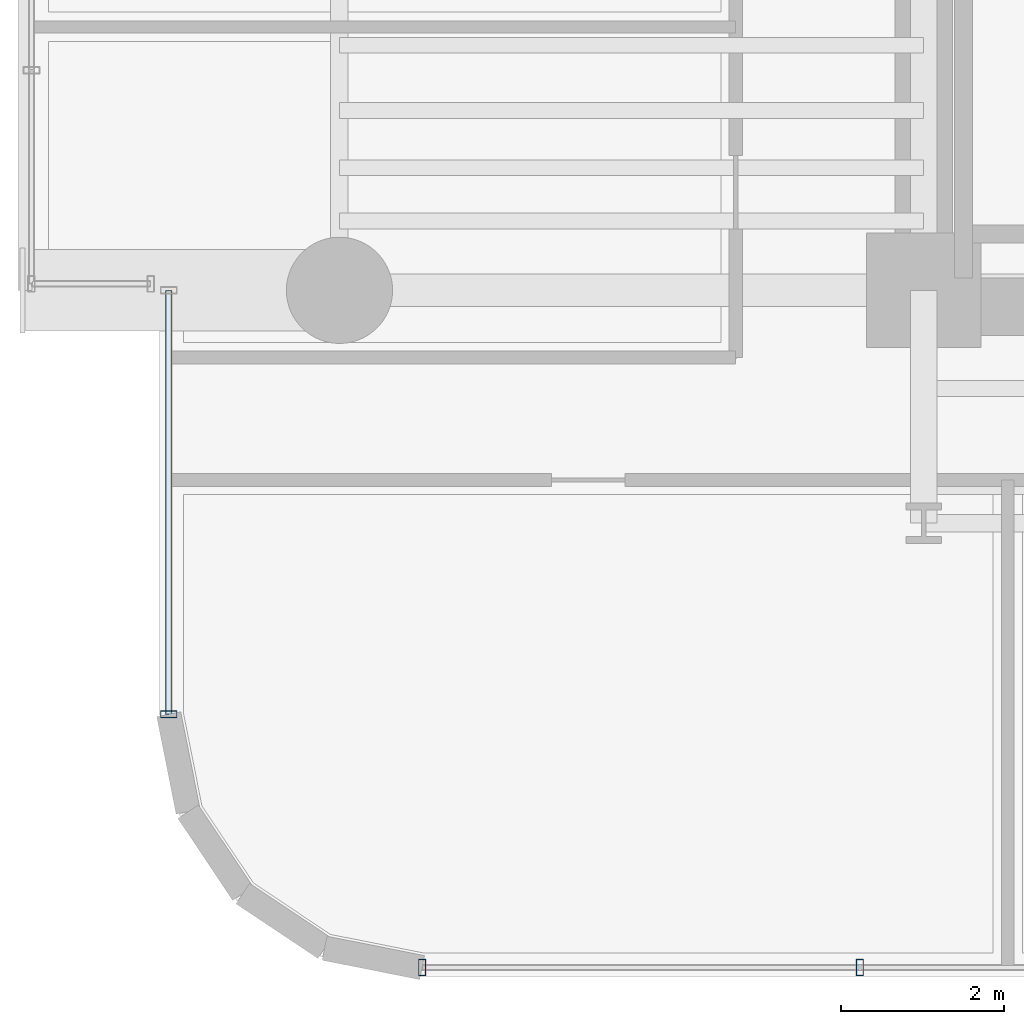
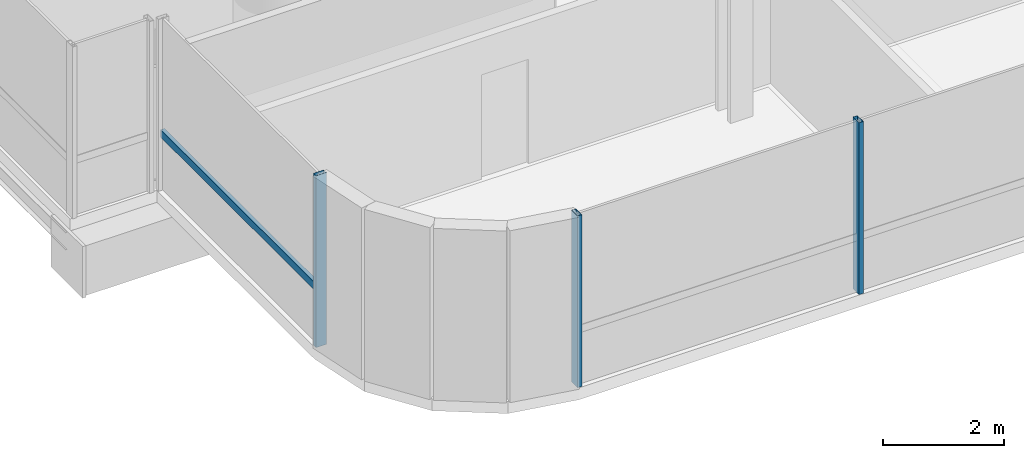
# One storey, part 2 of 39: 4 members, 2 elements without a shape of their own.
"""IFC4 building model written with IfcOpenShell, lengths in metres."""

from ifc_helpers import new_model, si_unit, direction, frame, origin, origin_2d, place, context, subcontext, project, spatial, hollow_rectangle, extrude, source, transform, mapped, material, material_profile, profile_set, type_object, element, aggregate, save


model = new_model("IFC4")

# Units and contexts
model_context = context("Model", 3, precision=1e-05, world=origin(), true_north=direction((0.0, 1.0)))
body_context = subcontext(model_context, "Body", "Model", "MODEL_VIEW")
ifc_project = project(units=[si_unit("LENGTHUNIT", "METRE"), si_unit("AREAUNIT", "SQUARE_METRE"), si_unit("VOLUMEUNIT", "CUBIC_METRE"), si_unit("PLANEANGLEUNIT", "RADIAN"), si_unit("MASSUNIT", "GRAM", prefix="KILO")], contexts=[model_context])

# Site, building, storey
site_placement = place(None, origin())
site = spatial("IfcSite", under=ifc_project, at=site_placement, CompositionType="ELEMENT")
building_placement = place(site_placement, origin())
building = spatial("IfcBuilding", under=site, at=building_placement, Name="Valdorenza Pilgrim Sanctuary Tower", CompositionType="ELEMENT")
storey_placement = place(building_placement, frame((0.0, 0.0, 33.39990234375)))
storey = spatial("IfcBuildingStorey", under=building, at=storey_placement, Name="L07", CompositionType="ELEMENT", Elevation=33.39990234375)

# Curtain wall, members
ifc_material_1 = material(Name="Curtain-wall IGU glazing", Category="glass")
curtain_wall_type = type_object("IfcCurtainWallType", Name="CW-SYS-02", PredefinedType="NOTDEFINED", material=ifc_material_1)
curtain_wall_1_placement = place(storey_placement, origin())
curtain_wall_1 = element("IfcCurtainWall", 1, at=curtain_wall_1_placement, inside=storey, type_object=curtain_wall_type, Name="L07 Curtain Wall CW-L07-1-1S1", PredefinedType="NOTDEFINED")
ifc_material_2 = material(Name="Anodised aluminium AW-6060", Category="aluminium")
ifc_material_profile_1 = material_profile(ifc_material_2, hollow_rectangle(XDim=0.074951171875, YDim=0.14990234375, WallThickness=0.00390625, at=origin_2d()), Name="ALU-T 150x75x4")
ifc_profile_set_1 = profile_set([ifc_material_profile_1], Name="Anodised aluminium AW-6060")
member_type_1 = type_object("IfcMemberType", Name="CW-TRN-02", PredefinedType="USERDEFINED", material=ifc_profile_set_1)
shared_shape_1 = source(origin(), body_context, "Body", "SweptSolid", [
    extrude(hollow_rectangle(XDim=0.074951171875, YDim=0.14990234375, WallThickness=0.00390625, at=origin_2d()), origin(), (0.0, 0.0, 1.0), 5.189208984375),
])
member_1_placement = place(storey_placement, frame((-31.889892578125, -15.789306640625, 1.1201171875), z_axis=(0.0, 1.0, 0.0), x_axis=(-1.0, 0.0, 0.0)))
member_1 = element("IfcMember", 2, at=member_1_placement, type_object=member_type_1, Name="CW-L07-1-1S1 Transom 1", ObjectType="TRANSOM", PredefinedType="USERDEFINED", context=body_context, shape_type="MappedRepresentation", body=[
    mapped(shared_shape_1, transform((0.0, 0.0, 0.0), x_axis=(1.0, 0.0, 0.0), y_axis=(0.0, 1.0, 0.0), z_axis=(0.0, 0.0, 1.0), scale=1.0)),
])
ifc_material_profile_2 = material_profile(ifc_material_2, hollow_rectangle(XDim=0.0849609375, YDim=0.199951171875, WallThickness=0.0048828125, at=origin_2d()), Name="ALU-M 200x85x5")
ifc_profile_set_2 = profile_set([ifc_material_profile_2], Name="Anodised aluminium AW-6060")
member_type_2 = type_object("IfcMemberType", Name="CW-MUL-02", PredefinedType="MULLION", material=ifc_profile_set_2)
shared_shape_2 = source(origin(), body_context, "Body", "SweptSolid", [
    extrude(hollow_rectangle(XDim=0.0849609375, YDim=0.199951171875, WallThickness=0.0048828125, at=origin_2d()), origin(), (0.0, 0.0, 1.0), 3.460205078125),
])
member_2_placement = place(storey_placement, frame((-31.889892578125, -15.789306640625, 0.0), z_axis=(0.0, 0.0, 1.0), x_axis=(0.0, 1.0, 0.0)))
member_2 = element("IfcMember", 3, at=member_2_placement, type_object=member_type_2, Name="CW-L07-1-1S1 Mullion 1", PredefinedType="MULLION", context=body_context, shape_type="MappedRepresentation", body=[
    mapped(shared_shape_2, transform((0.0, 0.0, 0.0), x_axis=(1.0, 0.0, 0.0), y_axis=(0.0, 1.0, 0.0), z_axis=(0.0, 0.0, 1.0), scale=1.0)),
])
aggregate(curtain_wall_1, [member_2, member_1])

curtain_wall_2_placement = place(storey_placement, origin())
curtain_wall_2 = element("IfcCurtainWall", 4, at=curtain_wall_2_placement, inside=storey, type_object=curtain_wall_type, Name="L07 Curtain Wall CW-L07-1-46", PredefinedType="NOTDEFINED")
member_3_placement = place(storey_placement, frame((-23.4296875, -18.889892578125, 0.0), z_axis=(0.0, 0.0, 1.0), x_axis=(-1.0, 0.0, 0.0)))
member_3 = element("IfcMember", 5, at=member_3_placement, type_object=member_type_2, Name="CW-L07-1-46 Mullion 3", PredefinedType="MULLION", context=body_context, shape_type="MappedRepresentation", body=[
    mapped(shared_shape_2, transform((0.0, 0.0, 0.0), x_axis=(1.0, 0.0, 0.0), y_axis=(0.0, 1.0, 0.0), z_axis=(0.0, 0.0, 1.0), scale=1.0)),
])
member_4_placement = place(storey_placement, frame((-28.789306640625, -18.889892578125, 0.0), z_axis=(0.0, 0.0, 1.0), x_axis=(-1.0, 0.0, 0.0)))
member_4 = element("IfcMember", 6, at=member_4_placement, type_object=member_type_2, Name="CW-L07-1-46 Mullion 4", PredefinedType="MULLION", context=body_context, shape_type="MappedRepresentation", body=[
    mapped(shared_shape_2, transform((0.0, 0.0, 0.0), x_axis=(1.0, 0.0, 0.0), y_axis=(0.0, 1.0, 0.0), z_axis=(0.0, 0.0, 1.0), scale=1.0)),
])
aggregate(curtain_wall_2, [member_3, member_4])

save(model, "model.ifc")
